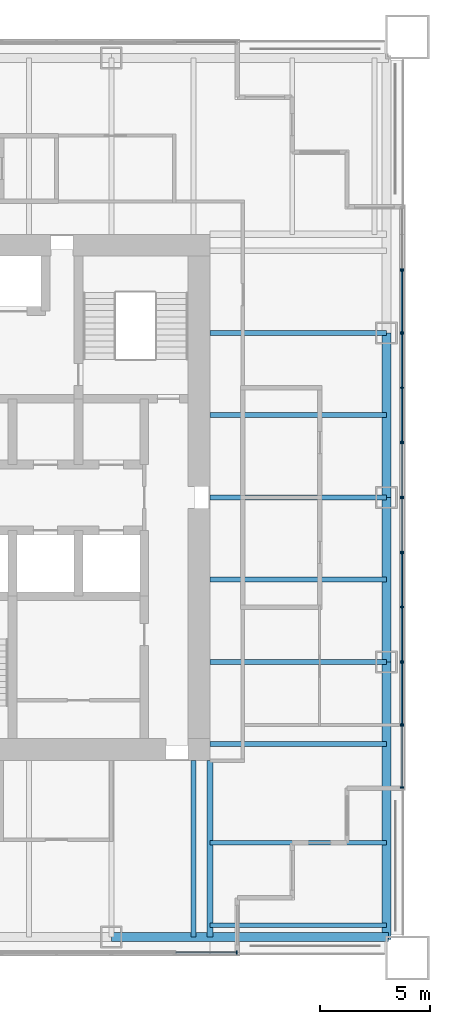
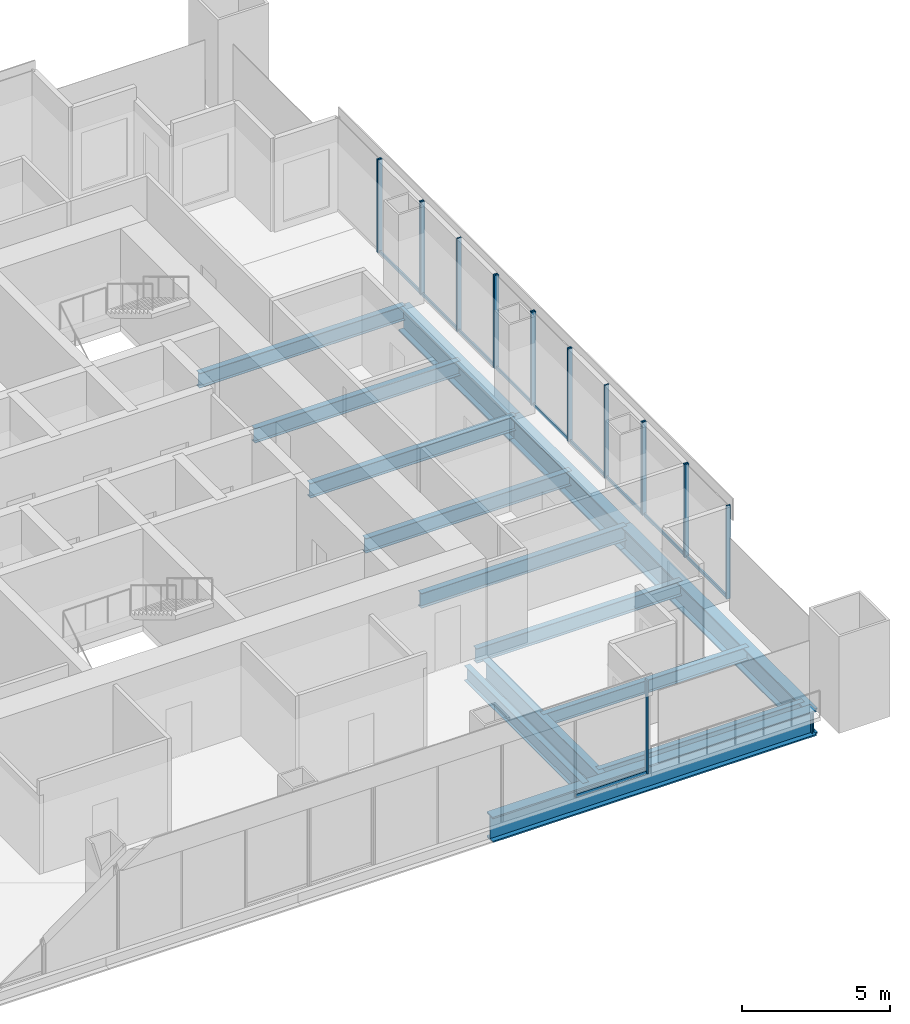
# One storey, part 5 of 14: 28 members, 14 beams, 9 elements without a shape of their own.
"""IFC4 building model written with IfcOpenShell, lengths in metres."""

from ifc_helpers import new_model, si_unit, direction, frame, origin, origin_2d, place, context, subcontext, project, spatial, rectangle, i_section, extrude, material, material_profile, profile_set, type_object, element, aggregate, save


model = new_model("IFC4")

# Units and contexts
model_context = context("Model", 3, precision=1e-05, world=origin(), true_north=direction((0.0, 1.0)))
body_context = subcontext(model_context, "Body", "Model", "MODEL_VIEW")
ifc_project = project(units=[si_unit("LENGTHUNIT", "METRE"), si_unit("AREAUNIT", "SQUARE_METRE"), si_unit("VOLUMEUNIT", "CUBIC_METRE"), si_unit("PLANEANGLEUNIT", "RADIAN"), si_unit("MASSUNIT", "GRAM", prefix="KILO")], contexts=[model_context])

# Site, building, storey
site_placement = place(None, origin())
site = spatial("IfcSite", under=ifc_project, at=site_placement, CompositionType="ELEMENT")
building_placement = place(site_placement, origin())
building = spatial("IfcBuilding", under=site, at=building_placement, Name="Tarangal Relay Tower", CompositionType="ELEMENT")
storey_placement = place(building_placement, frame((0.0, 0.0, 319.89990234375)))
storey = spatial("IfcBuildingStorey", under=building, at=storey_placement, Name="L71", CompositionType="ELEMENT", Elevation=319.89990234375)

# Beams
ifc_material_1 = material(Name="Steel ASTM A992", Category="steel")
ifc_material_profile_1 = material_profile(ifc_material_1, i_section(OverallWidth=0.209228515625, OverallDepth=0.533447265625, WebThickness=0.01025390625, FlangeThickness=0.015625, at=origin_2d()), Name="W21X62")
ifc_profile_set_1 = profile_set([ifc_material_profile_1], Name="Steel ASTM A992")
beam_type_1 = type_object("IfcBeamType", Name="Corner beam W21X62", PredefinedType="JOIST", material=ifc_profile_set_1)
for number, where, z_axis, x_axis, name in (
    (1, (12.0, -15.75, -0.41650390625), (1.0, 0.0, 0.0), (0.0, 1.0, 0.0), "Corner beam CB12 E L71"),
    (2, (12.0, -19.5, -0.41650390625), (1.0, 0.0, 0.0), (0.0, 1.0, 0.0), "Corner beam CB12 E L71"),
):
    element("IfcBeam", number, at=place(storey_placement, frame(where, z_axis=z_axis, x_axis=x_axis)), inside=storey, type_object=beam_type_1, Name=name, PredefinedType="JOIST", context=body_context, shape_type="SweptSolid", body=[
        extrude(i_section(OverallWidth=0.209228515625, OverallDepth=0.533447265625, WebThickness=0.01025390625, FlangeThickness=0.015625, at=origin_2d()), origin(), (0.0, 0.0, 1.0), 8.0400390625),
    ])
ifc_material_profile_2 = material_profile(ifc_material_1, i_section(OverallWidth=0.2919921875, OverallDepth=0.8408203125, WebThickness=0.0146484375, FlangeThickness=0.021728515625, at=origin_2d()), Name="W33X130")
ifc_profile_set_2 = profile_set([ifc_material_profile_2], Name="Steel ASTM A992")
beam_type_2 = type_object("IfcBeamType", Name="Corner girder W33X130", PredefinedType="BEAM", material=ifc_profile_set_2)
beam_placement = place(storey_placement, frame((12.0, -12.0, -0.5703125), z_axis=(0.0, -1.0, 0.0), x_axis=(1.0, 0.0, 0.0)))
element("IfcBeam", 3, at=beam_placement, inside=storey, type_object=beam_type_2, Name="Corner girder CG5 E L71", PredefinedType="BEAM", context=body_context, shape_type="SweptSolid", body=[
    extrude(i_section(OverallWidth=0.2919921875, OverallDepth=0.8408203125, WebThickness=0.0146484375, FlangeThickness=0.021728515625, at=origin_2d()), origin(), (0.0, 0.0, 1.0), 8.0400390625),
])
ifc_material_profile_3 = material_profile(ifc_material_1, i_section(OverallWidth=0.41162109375, OverallDepth=1.049072265625, WebThickness=0.033935546875, FlangeThickness=0.059814453125, at=origin_2d()), Name="W40X431")
ifc_profile_set_3 = profile_set([ifc_material_profile_3], Name="Steel ASTM A992")
beam_type_3 = type_object("IfcBeamType", Name="Edge girder W40X431", PredefinedType="SPANDREL", material=ifc_profile_set_3)
for number, where, z_axis, x_axis, name in (
    (4, (20.0400390625, 7.5, -0.67431640625), (0.0, -1.0, 0.0), (1.0, 0.0, 0.0), "Edge girder EG1 E L71"),
    (5, (20.0400390625, 0.0, -0.67431640625), (0.0, -1.0, 0.0), (1.0, 0.0, 0.0), "Edge girder EG1 E L71"),
):
    element("IfcBeam", number, at=place(storey_placement, frame(where, z_axis=z_axis, x_axis=x_axis)), inside=storey, type_object=beam_type_3, Name=name, PredefinedType="SPANDREL", context=body_context, shape_type="SweptSolid", body=[
        extrude(i_section(OverallWidth=0.41162109375, OverallDepth=1.049072265625, WebThickness=0.033935546875, FlangeThickness=0.059814453125, at=origin_2d()), origin(), (0.0, 0.0, 1.0), 7.5),
    ])
for number, where, z_axis, x_axis, name in (
    (6, (20.0400390625, -7.5, -0.67431640625), (0.0, -1.0, 0.0), (1.0, 0.0, 0.0), "Edge girder EG1 E L71"),
    (7, (20.14990234375, -20.0400390625, -0.67431640625), (-1.0, 0.0, 0.0), (0.0, -1.0, 0.0), "Edge girder EG1 S L71"),
):
    element("IfcBeam", number, at=place(storey_placement, frame(where, z_axis=z_axis, x_axis=x_axis)), inside=storey, type_object=beam_type_3, Name=name, PredefinedType="SPANDREL", context=body_context, shape_type="SweptSolid", body=[
        extrude(i_section(OverallWidth=0.41162109375, OverallDepth=1.049072265625, WebThickness=0.033935546875, FlangeThickness=0.059814453125, at=origin_2d()), origin(), (0.0, 0.0, 1.0), 12.64990234375),
    ])
ifc_material_profile_4 = material_profile(ifc_material_1, i_section(OverallWidth=0.228271484375, OverallDepth=0.607177734375, WebThickness=0.01123046875, FlangeThickness=0.017333984375, at=origin_2d()), Name="W24X76")
ifc_profile_set_4 = profile_set([ifc_material_profile_4], Name="Steel ASTM A992")
beam_type_4 = type_object("IfcBeamType", Name="Floor beam W24X76", PredefinedType="BEAM", material=ifc_profile_set_4)
for number, where, z_axis, x_axis, name in (
    (8, (12.0, 7.5, -0.453369140625), (1.0, 0.0, 0.0), (0.0, 1.0, 0.0), "Floor beam RB5 E L71"),
    (9, (12.0, 3.75, -0.453369140625), (1.0, 0.0, 0.0), (0.0, 1.0, 0.0), "Floor beam RB5 E L71"),
    (10, (12.0, 0.0, -0.453369140625), (1.0, 0.0, 0.0), (0.0, 1.0, 0.0), "Floor beam RB5 E L71"),
    (11, (12.0, -3.75, -0.453369140625), (1.0, 0.0, 0.0), (0.0, 1.0, 0.0), "Floor beam RB5 E L71"),
    (12, (12.0, -7.5, -0.453369140625), (1.0, 0.0, 0.0), (0.0, 1.0, 0.0), "Floor beam RB5 E L71"),
    (13, (12.0, -11.25, -0.453369140625), (1.0, 0.0, 0.0), (0.0, 1.0, 0.0), "Floor beam RB5 E L71"),
    (14, (11.25, -12.0, -0.453369140625), (0.0, -1.0, 0.0), (1.0, 0.0, 0.0), "Floor beam RB5 S L71"),
):
    element("IfcBeam", number, at=place(storey_placement, frame(where, z_axis=z_axis, x_axis=x_axis)), inside=storey, type_object=beam_type_4, Name=name, PredefinedType="BEAM", context=body_context, shape_type="SweptSolid", body=[
        extrude(i_section(OverallWidth=0.228271484375, OverallDepth=0.607177734375, WebThickness=0.01123046875, FlangeThickness=0.017333984375, at=origin_2d()), origin(), (0.0, 0.0, 1.0), 8.0400390625),
    ])

# Curtain wall, member
ifc_material_2 = material(Name="Unitised curtain wall, dark glass and black aluminium", Category="aluminium")
curtain_wall_type_1 = type_object("IfcCurtainWallType", Name="Curtain wall CW-B", PredefinedType="USERDEFINED", material=ifc_material_2)
curtain_wall_1_placement = place(storey_placement, origin())
curtain_wall_1 = element("IfcCurtainWall", 15, at=curtain_wall_1_placement, inside=storey, type_object=curtain_wall_type_1, Name="Curtain wall CW-B E facade L71", ObjectType="UNITISED CURTAIN WALL", PredefinedType="USERDEFINED")
ifc_material_3 = material(Name="Black anodised aluminium mullion", Category="aluminium")
ifc_material_profile_5 = material_profile(ifc_material_3, rectangle(XDim=0.159912109375, YDim=0.06005859375, at=origin_2d()), Name="CW-BM 60X160")
ifc_profile_set_5 = profile_set([ifc_material_profile_5], Name="Black anodised aluminium mullion")
member_type_1 = type_object("IfcMemberType", Name="Mullion CW-B 60 x 160", PredefinedType="MULLION", material=ifc_profile_set_5)
member_1_placement = place(storey_placement, frame((20.75, 10.405029296875, 0.0), z_axis=(0.0, 0.0, 1.0), x_axis=(1.0, 0.0, 0.0)))
member_1 = element("IfcMember", 16, at=member_1_placement, type_object=member_type_1, Name="CW-B mullion 2", PredefinedType="MULLION", context=body_context, shape_type="SweptSolid", body=[
    extrude(rectangle(XDim=0.159912109375, YDim=0.06005859375, at=origin_2d()), origin(), (0.0, 0.0, 1.0), 3.85009765625),
])
aggregate(curtain_wall_1, [member_1])

# Curtain wall, members
curtain_wall_2_placement = place(storey_placement, origin())
curtain_wall_2 = element("IfcCurtainWall", 17, at=curtain_wall_2_placement, inside=storey, type_object=curtain_wall_type_1, Name="Curtain wall CW-B E facade L71", ObjectType="UNITISED CURTAIN WALL", PredefinedType="USERDEFINED")
member_2_placement = place(storey_placement, frame((20.75, 2.469970703125, 0.0), z_axis=(0.0, 0.0, 1.0), x_axis=(1.0, 0.0, 0.0)))
member_2 = element("IfcMember", 18, at=member_2_placement, type_object=member_type_1, Name="CW-B mullion 1", PredefinedType="MULLION", context=body_context, shape_type="SweptSolid", body=[
    extrude(rectangle(XDim=0.159912109375, YDim=0.06005859375, at=origin_2d()), origin(), (0.0, 0.0, 1.0), 3.85009765625),
])
member_3_placement = place(storey_placement, frame((20.75, 0.030029296875, 0.0), z_axis=(0.0, 0.0, 1.0), x_axis=(1.0, 0.0, 0.0)))
member_3 = element("IfcMember", 19, at=member_3_placement, type_object=member_type_1, Name="CW-B mullion 2", PredefinedType="MULLION", context=body_context, shape_type="SweptSolid", body=[
    extrude(rectangle(XDim=0.159912109375, YDim=0.06005859375, at=origin_2d()), origin(), (0.0, 0.0, 1.0), 3.85009765625),
])

curtain_wall_3_placement = place(storey_placement, origin())
curtain_wall_3 = element("IfcCurtainWall", 20, at=curtain_wall_3_placement, inside=storey, type_object=curtain_wall_type_1, Name="Curtain wall CW-B E facade L71", ObjectType="UNITISED CURTAIN WALL", PredefinedType="USERDEFINED")
member_4_placement = place(storey_placement, frame((20.75, -0.030029296875, 0.0), z_axis=(0.0, 0.0, 1.0), x_axis=(1.0, 0.0, 0.0)))
member_4 = element("IfcMember", 21, at=member_4_placement, type_object=member_type_1, Name="CW-B mullion 1", PredefinedType="MULLION", context=body_context, shape_type="SweptSolid", body=[
    extrude(rectangle(XDim=0.159912109375, YDim=0.06005859375, at=origin_2d()), origin(), (0.0, 0.0, 1.0), 3.85009765625),
])
member_5_placement = place(storey_placement, frame((20.75, -2.469970703125, 0.0), z_axis=(0.0, 0.0, 1.0), x_axis=(1.0, 0.0, 0.0)))
member_5 = element("IfcMember", 22, at=member_5_placement, type_object=member_type_1, Name="CW-B mullion 2", PredefinedType="MULLION", context=body_context, shape_type="SweptSolid", body=[
    extrude(rectangle(XDim=0.159912109375, YDim=0.06005859375, at=origin_2d()), origin(), (0.0, 0.0, 1.0), 3.85009765625),
])

curtain_wall_4_placement = place(storey_placement, origin())
curtain_wall_4 = element("IfcCurtainWall", 23, at=curtain_wall_4_placement, inside=storey, type_object=curtain_wall_type_1, Name="Curtain wall CW-B E facade L71", ObjectType="UNITISED CURTAIN WALL", PredefinedType="USERDEFINED")
member_6_placement = place(storey_placement, frame((20.75, -10.405029296875, 0.0), z_axis=(0.0, 0.0, 1.0), x_axis=(1.0, 0.0, 0.0)))
member_6 = element("IfcMember", 24, at=member_6_placement, type_object=member_type_1, Name="CW-B mullion 1", PredefinedType="MULLION", context=body_context, shape_type="SweptSolid", body=[
    extrude(rectangle(XDim=0.159912109375, YDim=0.06005859375, at=origin_2d()), origin(), (0.0, 0.0, 1.0), 3.85009765625),
])
member_7_placement = place(storey_placement, frame((20.75, -13.219970703125, 0.0), z_axis=(0.0, 0.0, 1.0), x_axis=(1.0, 0.0, 0.0)))
member_7 = element("IfcMember", 25, at=member_7_placement, type_object=member_type_1, Name="CW-B mullion 2", PredefinedType="MULLION", context=body_context, shape_type="SweptSolid", body=[
    extrude(rectangle(XDim=0.159912109375, YDim=0.06005859375, at=origin_2d()), origin(), (0.0, 0.0, 1.0), 3.85009765625),
])

# Curtain wall, member
curtain_wall_5_placement = place(storey_placement, origin())
curtain_wall_5 = element("IfcCurtainWall", 26, at=curtain_wall_5_placement, inside=storey, type_object=curtain_wall_type_1, Name="Curtain wall CW-B S facade L71", ObjectType="UNITISED CURTAIN WALL", PredefinedType="USERDEFINED")
member_8_placement = place(storey_placement, frame((13.219970703125, -20.75, 0.0), z_axis=(0.0, 0.0, 1.0), x_axis=(0.0, -1.0, 0.0)))
member_8 = element("IfcMember", 27, at=member_8_placement, type_object=member_type_1, Name="CW-B mullion 1", PredefinedType="MULLION", context=body_context, shape_type="SweptSolid", body=[
    extrude(rectangle(XDim=0.159912109375, YDim=0.06005859375, at=origin_2d()), origin(), (0.0, 0.0, 1.0), 3.85009765625),
])

# Curtain wall, members
ifc_material_4 = material(Name="Unitised curtain wall frame, black aluminium, with metal clad infill walls", Category="aluminium")
curtain_wall_type_2 = type_object("IfcCurtainWallType", Name="Curtain wall CW-BO", PredefinedType="USERDEFINED", material=ifc_material_4)
curtain_wall_6_placement = place(storey_placement, origin())
curtain_wall_6 = element("IfcCurtainWall", 28, at=curtain_wall_6_placement, inside=storey, type_object=curtain_wall_type_2, Name="Curtain wall CW-BO E facade L71", ObjectType="UNITISED CURTAIN WALL", PredefinedType="USERDEFINED")
ifc_material_profile_6 = material_profile(ifc_material_3, rectangle(XDim=0.159912109375, YDim=0.06005859375, at=origin_2d()), Name="CW-BOM 60X160")
ifc_profile_set_6 = profile_set([ifc_material_profile_6], Name="Black anodised aluminium mullion")
member_type_2 = type_object("IfcMemberType", Name="Mullion CW-BO 60 x 160", PredefinedType="MULLION", material=ifc_profile_set_6)
member_9_placement = place(storey_placement, frame((20.75, 10.344970703125, 0.0), z_axis=(0.0, 0.0, 1.0), x_axis=(1.0, 0.0, 0.0)))
member_9 = element("IfcMember", 29, at=member_9_placement, type_object=member_type_2, Name="CW-BO mullion 1", PredefinedType="MULLION", context=body_context, shape_type="SweptSolid", body=[
    extrude(rectangle(XDim=0.159912109375, YDim=0.06005859375, at=origin_2d()), origin(), (0.0, 0.0, 1.0), 3.85009765625),
])
member_10_placement = place(storey_placement, frame((20.75, 7.530029296875, 0.0), z_axis=(0.0, 0.0, 1.0), x_axis=(1.0, 0.0, 0.0)))
member_10 = element("IfcMember", 30, at=member_10_placement, type_object=member_type_2, Name="CW-BO mullion 2", PredefinedType="MULLION", context=body_context, shape_type="SweptSolid", body=[
    extrude(rectangle(XDim=0.159912109375, YDim=0.06005859375, at=origin_2d()), origin(), (0.0, 0.0, 1.0), 3.85009765625),
])

curtain_wall_7_placement = place(storey_placement, origin())
curtain_wall_7 = element("IfcCurtainWall", 31, at=curtain_wall_7_placement, inside=storey, type_object=curtain_wall_type_2, Name="Curtain wall CW-BO E facade L71", ObjectType="UNITISED CURTAIN WALL", PredefinedType="USERDEFINED")
member_11_placement = place(storey_placement, frame((20.75, 7.469970703125, 0.0), z_axis=(0.0, 0.0, 1.0), x_axis=(1.0, 0.0, 0.0)))
member_11 = element("IfcMember", 32, at=member_11_placement, type_object=member_type_2, Name="CW-BO mullion 1", PredefinedType="MULLION", context=body_context, shape_type="SweptSolid", body=[
    extrude(rectangle(XDim=0.159912109375, YDim=0.06005859375, at=origin_2d()), origin(), (0.0, 0.0, 1.0), 3.85009765625),
])
member_12_placement = place(storey_placement, frame((20.75, 5.0, 0.0), z_axis=(0.0, 0.0, 1.0), x_axis=(1.0, 0.0, 0.0)))
member_12 = element("IfcMember", 33, at=member_12_placement, type_object=member_type_2, Name="CW-BO mullion 2", PredefinedType="MULLION", context=body_context, shape_type="SweptSolid", body=[
    extrude(rectangle(XDim=0.159912109375, YDim=0.06005859375, at=origin_2d()), origin(), (0.0, 0.0, 1.0), 3.85009765625),
])
member_13_placement = place(storey_placement, frame((20.75, 2.530029296875, 0.0), z_axis=(0.0, 0.0, 1.0), x_axis=(1.0, 0.0, 0.0)))
member_13 = element("IfcMember", 34, at=member_13_placement, type_object=member_type_2, Name="CW-BO mullion 3", PredefinedType="MULLION", context=body_context, shape_type="SweptSolid", body=[
    extrude(rectangle(XDim=0.159912109375, YDim=0.06005859375, at=origin_2d()), origin(), (0.0, 0.0, 1.0), 3.85009765625),
])

curtain_wall_8_placement = place(storey_placement, origin())
curtain_wall_8 = element("IfcCurtainWall", 35, at=curtain_wall_8_placement, inside=storey, type_object=curtain_wall_type_2, Name="Curtain wall CW-BO E facade L71", ObjectType="UNITISED CURTAIN WALL", PredefinedType="USERDEFINED")
member_14_placement = place(storey_placement, frame((20.75, -2.530029296875, 0.0), z_axis=(0.0, 0.0, 1.0), x_axis=(1.0, 0.0, 0.0)))
member_14 = element("IfcMember", 36, at=member_14_placement, type_object=member_type_2, Name="CW-BO mullion 1", PredefinedType="MULLION", context=body_context, shape_type="SweptSolid", body=[
    extrude(rectangle(XDim=0.159912109375, YDim=0.06005859375, at=origin_2d()), origin(), (0.0, 0.0, 1.0), 3.85009765625),
])
member_15_placement = place(storey_placement, frame((20.75, -5.0, 0.0), z_axis=(0.0, 0.0, 1.0), x_axis=(1.0, 0.0, 0.0)))
member_15 = element("IfcMember", 37, at=member_15_placement, type_object=member_type_2, Name="CW-BO mullion 2", PredefinedType="MULLION", context=body_context, shape_type="SweptSolid", body=[
    extrude(rectangle(XDim=0.159912109375, YDim=0.06005859375, at=origin_2d()), origin(), (0.0, 0.0, 1.0), 3.85009765625),
])
member_16_placement = place(storey_placement, frame((20.75, -7.469970703125, 0.0), z_axis=(0.0, 0.0, 1.0), x_axis=(1.0, 0.0, 0.0)))
member_16 = element("IfcMember", 38, at=member_16_placement, type_object=member_type_2, Name="CW-BO mullion 3", PredefinedType="MULLION", context=body_context, shape_type="SweptSolid", body=[
    extrude(rectangle(XDim=0.159912109375, YDim=0.06005859375, at=origin_2d()), origin(), (0.0, 0.0, 1.0), 3.85009765625),
])

curtain_wall_9_placement = place(storey_placement, origin())
curtain_wall_9 = element("IfcCurtainWall", 39, at=curtain_wall_9_placement, inside=storey, type_object=curtain_wall_type_2, Name="Curtain wall CW-BO E facade L71", ObjectType="UNITISED CURTAIN WALL", PredefinedType="USERDEFINED")
member_17_placement = place(storey_placement, frame((20.75, -7.530029296875, 0.0), z_axis=(0.0, 0.0, 1.0), x_axis=(1.0, 0.0, 0.0)))
member_17 = element("IfcMember", 40, at=member_17_placement, type_object=member_type_2, Name="CW-BO mullion 1", PredefinedType="MULLION", context=body_context, shape_type="SweptSolid", body=[
    extrude(rectangle(XDim=0.159912109375, YDim=0.06005859375, at=origin_2d()), origin(), (0.0, 0.0, 1.0), 3.85009765625),
])
member_18_placement = place(storey_placement, frame((20.75, -10.344970703125, 0.0), z_axis=(0.0, 0.0, 1.0), x_axis=(1.0, 0.0, 0.0)))
member_18 = element("IfcMember", 41, at=member_18_placement, type_object=member_type_2, Name="CW-BO mullion 2", PredefinedType="MULLION", context=body_context, shape_type="SweptSolid", body=[
    extrude(rectangle(XDim=0.159912109375, YDim=0.06005859375, at=origin_2d()), origin(), (0.0, 0.0, 1.0), 3.85009765625),
])

# Member
ifc_material_5 = material(Name="Black anodised aluminium transom", Category="aluminium")
ifc_material_profile_7 = material_profile(ifc_material_5, rectangle(XDim=0.06005859375, YDim=0.1298828125, at=origin_2d()), Name="CW-BT 60X130")
ifc_profile_set_7 = profile_set([ifc_material_profile_7], Name="Black anodised aluminium transom")
member_type_3 = type_object("IfcMemberType", Name="Transom CW-B 60 x 130", PredefinedType="USERDEFINED", material=ifc_profile_set_7)
member_19_placement = place(storey_placement, frame((20.75, 2.43994140625, 0.030029296875), z_axis=(0.0, -1.0, 0.0), x_axis=(1.0, 0.0, 0.0)))
member_19 = element("IfcMember", 42, at=member_19_placement, type_object=member_type_3, Name="CW-B transom 1.1", ObjectType="TRANSOM", PredefinedType="USERDEFINED", context=body_context, shape_type="SweptSolid", body=[
    extrude(rectangle(XDim=0.06005859375, YDim=0.1298828125, at=origin_2d()), origin(), (0.0, 0.0, 1.0), 2.3798828125),
])

aggregate(curtain_wall_2, [member_2, member_3, member_19])

member_20_placement = place(storey_placement, frame((20.75, -0.06005859375, 0.030029296875), z_axis=(0.0, -1.0, 0.0), x_axis=(1.0, 0.0, 0.0)))
member_20 = element("IfcMember", 43, at=member_20_placement, type_object=member_type_3, Name="CW-B transom 1.1", ObjectType="TRANSOM", PredefinedType="USERDEFINED", context=body_context, shape_type="SweptSolid", body=[
    extrude(rectangle(XDim=0.06005859375, YDim=0.1298828125, at=origin_2d()), origin(), (0.0, 0.0, 1.0), 2.3798828125),
])

aggregate(curtain_wall_3, [member_4, member_5, member_20])

member_21_placement = place(storey_placement, frame((20.75, -10.43505859375, 0.030029296875), z_axis=(0.0, -1.0, 0.0), x_axis=(1.0, 0.0, 0.0)))
member_21 = element("IfcMember", 44, at=member_21_placement, type_object=member_type_3, Name="CW-B transom 1.1", ObjectType="TRANSOM", PredefinedType="USERDEFINED", context=body_context, shape_type="SweptSolid", body=[
    extrude(rectangle(XDim=0.06005859375, YDim=0.1298828125, at=origin_2d()), origin(), (0.0, 0.0, 1.0), 2.7548828125),
])

aggregate(curtain_wall_4, [member_6, member_7, member_21])

member_22_placement = place(storey_placement, frame((13.18994140625, -20.75, 0.030029296875), z_axis=(-1.0, 0.0, 0.0), x_axis=(0.0, -1.0, 0.0)))
member_22 = element("IfcMember", 45, at=member_22_placement, type_object=member_type_3, Name="CW-B transom 1.1", ObjectType="TRANSOM", PredefinedType="USERDEFINED", context=body_context, shape_type="SweptSolid", body=[
    extrude(rectangle(XDim=0.06005859375, YDim=0.1298828125, at=origin_2d()), origin(), (0.0, 0.0, 1.0), 2.7548828125),
])

aggregate(curtain_wall_5, [member_8, member_22])

ifc_material_profile_8 = material_profile(ifc_material_5, rectangle(XDim=0.06005859375, YDim=0.1298828125, at=origin_2d()), Name="CW-BOT 60X130")
ifc_profile_set_8 = profile_set([ifc_material_profile_8], Name="Black anodised aluminium transom")
member_type_4 = type_object("IfcMemberType", Name="Transom CW-BO 60 x 130", PredefinedType="USERDEFINED", material=ifc_profile_set_8)
member_23_placement = place(storey_placement, frame((20.75, 10.31494140625, 0.030029296875), z_axis=(0.0, -1.0, 0.0), x_axis=(1.0, 0.0, 0.0)))
member_23 = element("IfcMember", 46, at=member_23_placement, type_object=member_type_4, Name="CW-BO transom 1.1", ObjectType="TRANSOM", PredefinedType="USERDEFINED", context=body_context, shape_type="SweptSolid", body=[
    extrude(rectangle(XDim=0.06005859375, YDim=0.1298828125, at=origin_2d()), origin(), (0.0, 0.0, 1.0), 2.7548828125),
])

aggregate(curtain_wall_6, [member_9, member_10, member_23])

member_24_placement = place(storey_placement, frame((20.75, 7.43994140625, 0.030029296875), z_axis=(0.0, -1.0, 0.0), x_axis=(1.0, 0.0, 0.0)))
member_24 = element("IfcMember", 47, at=member_24_placement, type_object=member_type_4, Name="CW-BO transom 1.1", ObjectType="TRANSOM", PredefinedType="USERDEFINED", context=body_context, shape_type="SweptSolid", body=[
    extrude(rectangle(XDim=0.06005859375, YDim=0.1298828125, at=origin_2d()), origin(), (0.0, 0.0, 1.0), 2.409912109375),
])

member_25_placement = place(storey_placement, frame((20.75, 4.969970703125, 0.030029296875), z_axis=(0.0, -1.0, 0.0), x_axis=(1.0, 0.0, 0.0)))
member_25 = element("IfcMember", 48, at=member_25_placement, type_object=member_type_4, Name="CW-BO transom 2.1", ObjectType="TRANSOM", PredefinedType="USERDEFINED", context=body_context, shape_type="SweptSolid", body=[
    extrude(rectangle(XDim=0.06005859375, YDim=0.1298828125, at=origin_2d()), origin(), (0.0, 0.0, 1.0), 2.409912109375),
])

aggregate(curtain_wall_7, [member_11, member_12, member_13, member_24, member_25])

member_26_placement = place(storey_placement, frame((20.75, -2.56005859375, 0.030029296875), z_axis=(0.0, -1.0, 0.0), x_axis=(1.0, 0.0, 0.0)))
member_26 = element("IfcMember", 49, at=member_26_placement, type_object=member_type_4, Name="CW-BO transom 1.1", ObjectType="TRANSOM", PredefinedType="USERDEFINED", context=body_context, shape_type="SweptSolid", body=[
    extrude(rectangle(XDim=0.06005859375, YDim=0.1298828125, at=origin_2d()), origin(), (0.0, 0.0, 1.0), 2.409912109375),
])

member_27_placement = place(storey_placement, frame((20.75, -5.030029296875, 0.030029296875), z_axis=(0.0, -1.0, 0.0), x_axis=(1.0, 0.0, 0.0)))
member_27 = element("IfcMember", 50, at=member_27_placement, type_object=member_type_4, Name="CW-BO transom 2.1", ObjectType="TRANSOM", PredefinedType="USERDEFINED", context=body_context, shape_type="SweptSolid", body=[
    extrude(rectangle(XDim=0.06005859375, YDim=0.1298828125, at=origin_2d()), origin(), (0.0, 0.0, 1.0), 2.409912109375),
])

aggregate(curtain_wall_8, [member_14, member_15, member_16, member_26, member_27])

member_28_placement = place(storey_placement, frame((20.75, -7.56005859375, 0.030029296875), z_axis=(0.0, -1.0, 0.0), x_axis=(1.0, 0.0, 0.0)))
member_28 = element("IfcMember", 51, at=member_28_placement, type_object=member_type_4, Name="CW-BO transom 1.1", ObjectType="TRANSOM", PredefinedType="USERDEFINED", context=body_context, shape_type="SweptSolid", body=[
    extrude(rectangle(XDim=0.06005859375, YDim=0.1298828125, at=origin_2d()), origin(), (0.0, 0.0, 1.0), 2.7548828125),
])

aggregate(curtain_wall_9, [member_17, member_18, member_28])

save(model, "model.ifc")
